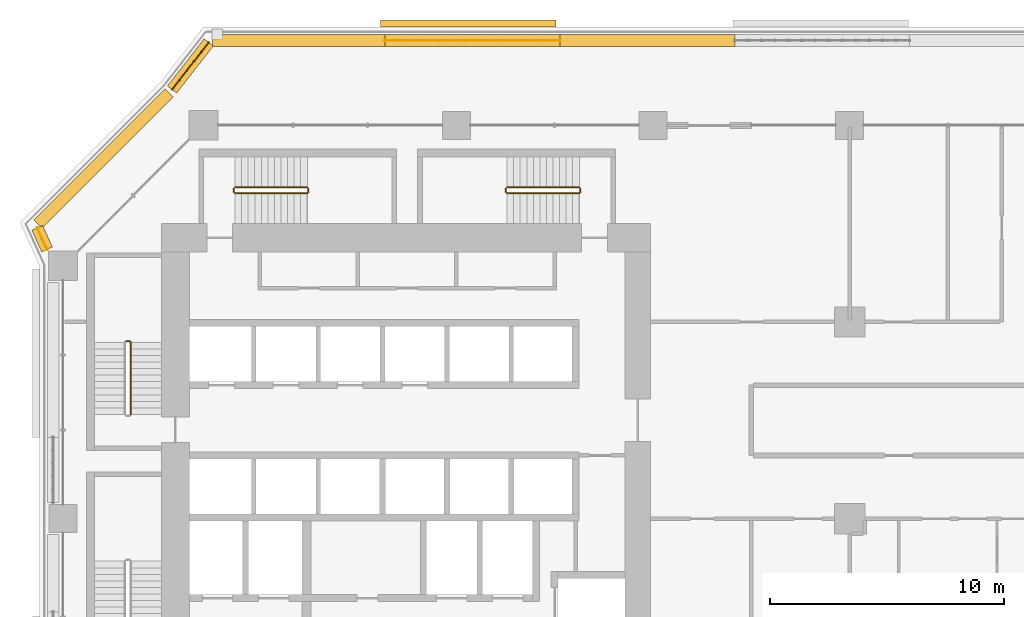
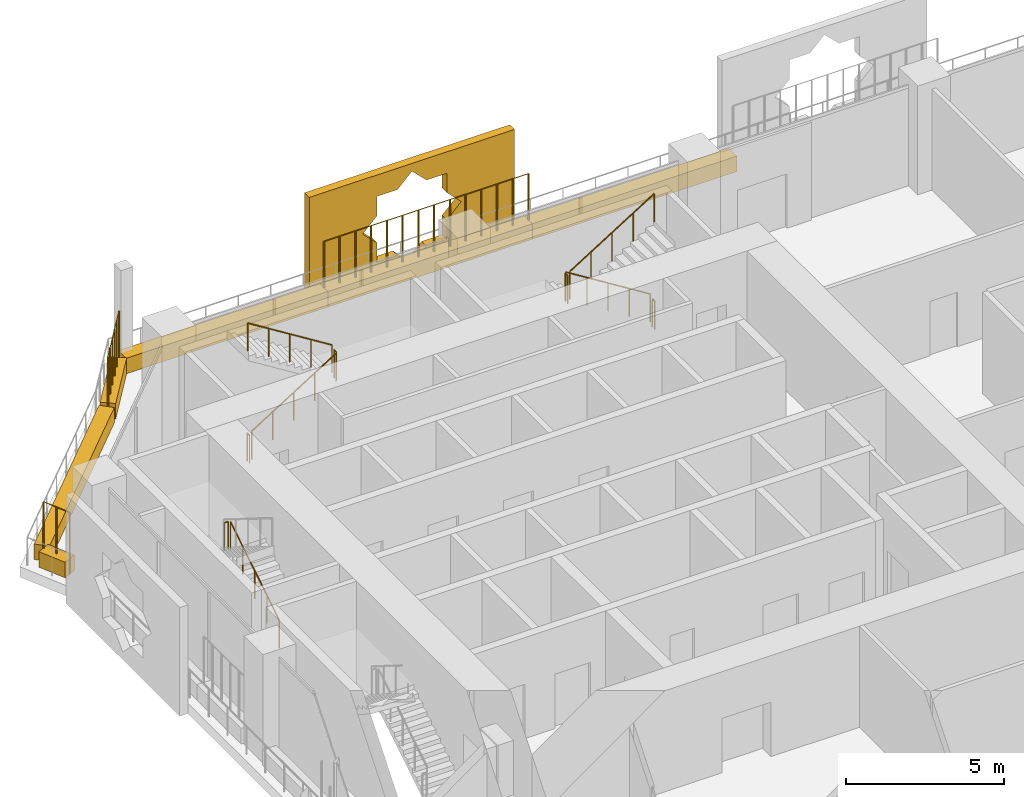
# One storey, part 27 of 29: 13 railings, 7 coverings.
"""IFC4 building model written with IfcOpenShell, lengths in metres."""

from ifc_helpers import new_model, si_unit, direction, frame, origin, origin_2d, place, context, subcontext, project, spatial, polyline, rectangle, circle, outline, extrude, material, material_profile, profile_set, type_object, element, save


model = new_model("IFC4")

# Units and contexts
model_context = context("Model", 3, precision=1e-05, world=origin(), true_north=direction((0.0, 1.0)))
body_context = subcontext(model_context, "Body", "Model", "MODEL_VIEW")
ifc_project = project(units=[si_unit("LENGTHUNIT", "METRE"), si_unit("AREAUNIT", "SQUARE_METRE"), si_unit("VOLUMEUNIT", "CUBIC_METRE"), si_unit("PLANEANGLEUNIT", "RADIAN"), si_unit("MASSUNIT", "GRAM", prefix="KILO")], contexts=[model_context])

# Site, building, storey
site_placement = place(None, origin())
site = spatial("IfcSite", under=ifc_project, at=site_placement, CompositionType="ELEMENT")
building_placement = place(site_placement, origin())
building = spatial("IfcBuilding", under=site, at=building_placement, Name="Kawkab Arch Medical Tower", CompositionType="ELEMENT")
storey_placement = place(building_placement, frame((0.0, 0.0, 60.199951171875)))
storey = spatial("IfcBuildingStorey", under=building, at=storey_placement, Name="L13", CompositionType="ELEMENT", Elevation=60.199951171875)

# Coverings
ifc_material_1 = material(Name="Bronze anodised aluminium mashrabiya panel, eight-point star pattern", Category="aluminium")
ifc_material_profile_1 = material_profile(ifc_material_1, outline(polyline([(-3.75, -2.10009765625), (3.75, -2.10009765625), (3.75, 2.10009765625), (-3.75, 2.10009765625), (-3.75, -2.10009765625)]), holes=[polyline([(1.800048828125, 0.0), (1.272705078125, 0.527099609375), (1.272705078125, 1.272705078125), (0.527099609375, 1.272705078125), (0.0, 1.800048828125), (-0.527099609375, 1.272705078125), (-1.272705078125, 1.272705078125), (-1.272705078125, 0.527099609375), (-1.800048828125, 0.0), (-1.272705078125, -0.527099609375), (-1.272705078125, -1.272705078125), (-0.527099609375, -1.272705078125), (0.0, -1.800048828125), (0.527099609375, -1.272705078125), (1.272705078125, -1.272705078125), (1.272705078125, -0.527099609375), (1.800048828125, 0.0)])]), Name="Mashrabiya panel 7500x4200")
ifc_profile_set_1 = profile_set([ifc_material_profile_1], Name="Bronze anodised aluminium mashrabiya panel, eight-point star pattern")
covering_type_1 = type_object("IfcCoveringType", Name="Mashrabiya panel 7500 x 4200", PredefinedType="USERDEFINED", material=ifc_profile_set_1)
covering_1_placement = place(storey_placement, frame((17.30322265625, 4.199951171875, 1.699951171875), z_axis=(0.0, 1.0, 0.0), x_axis=(-1.0, 0.0, 0.0)))
element("IfcCovering", 1, at=covering_1_placement, inside=storey, type_object=covering_type_1, Name="Mashrabiya panel L13.LOG-01-01.6", ObjectType="SCREEN", PredefinedType="USERDEFINED", context=body_context, shape_type="SweptSolid", body=[
    extrude(outline(polyline([(-3.75, -2.10009765625), (3.75, -2.10009765625), (3.75, 2.10009765625), (-3.75, 2.10009765625), (-3.75, -2.10009765625)]), holes=[polyline([(1.800048828125, 0.0), (1.272705078125, 0.527099609375), (1.272705078125, 1.272705078125), (0.527099609375, 1.272705078125), (0.0, 1.800048828125), (-0.527099609375, 1.272705078125), (-1.272705078125, 1.272705078125), (-1.272705078125, 0.527099609375), (-1.800048828125, 0.0), (-1.272705078125, -0.527099609375), (-1.272705078125, -1.272705078125), (-0.527099609375, -1.272705078125), (0.0, -1.800048828125), (0.527099609375, -1.272705078125), (1.272705078125, -1.272705078125), (1.272705078125, -0.527099609375), (1.800048828125, 0.0)])]), origin(), (0.0, 0.0, 1.0), 0.300048828125),
])
ifc_material_2 = material(Name="Planting soil in a precast trough", Category="concrete")
ifc_material_profile_2 = material_profile(ifc_material_2, rectangle(XDim=0.5, YDim=0.60009765625, at=origin_2d()), Name="Trough 500x600")
ifc_profile_set_2 = profile_set([ifc_material_profile_2], Name="Planting soil in a precast trough")
covering_type_2 = type_object("IfcCoveringType", Name="Planter trough 500 x 600", PredefinedType="USERDEFINED", material=ifc_profile_set_2)
covering_2_placement = place(storey_placement, frame((-0.680908203125, -5.302001953125, 0.300048828125), z_axis=(-0.415071571878, 0.909788761317, 0.0), x_axis=(-0.909788761317, -0.415071571878, 0.0)))
element("IfcCovering", 2, at=covering_2_placement, inside=storey, type_object=covering_type_2, Name="Planter L13.LOG-01-01.17", ObjectType="PLANTER", PredefinedType="USERDEFINED", context=body_context, shape_type="SweptSolid", body=[
    extrude(rectangle(XDim=0.5, YDim=0.60009765625, at=origin_2d()), origin(), (0.0, 0.0, 1.0), 1.0146484375),
])
covering_3_placement = place(storey_placement, frame((-1.072998046875, -4.217041015625, 0.300048828125), z_axis=(0.707106781187, 0.707106781187, 0.0), x_axis=(-0.707106781187, 0.707106781187, 0.0)))
element("IfcCovering", 3, at=covering_3_placement, inside=storey, type_object=covering_type_2, Name="Planter L13.LOG-01-01.18", ObjectType="PLANTER", PredefinedType="USERDEFINED", context=body_context, shape_type="SweptSolid", body=[
    extrude(rectangle(XDim=0.5, YDim=0.60009765625, at=origin_2d()), origin(), (0.0, 0.0, 1.0), 7.919677734375),
])
covering_4_placement = place(storey_placement, frame((4.658935546875, 1.531982421875, 0.300048828125), z_axis=(0.61404021143, 0.789274742246, 0.0), x_axis=(-0.789274742246, 0.61404021143, 0.0)))
element("IfcCovering", 4, at=covering_4_placement, inside=storey, type_object=covering_type_2, Name="Planter L13.LOG-01-01.19", ObjectType="PLANTER", PredefinedType="USERDEFINED", context=body_context, shape_type="SweptSolid", body=[
    extrude(rectangle(XDim=0.5, YDim=0.60009765625, at=origin_2d()), origin(), (0.0, 0.0, 1.0), 2.54541015625),
])
covering_5_placement = place(storey_placement, frame((6.384033203125, 3.6201171875, 0.300048828125), z_axis=(1.0, 0.0, 0.0), x_axis=(0.0, 1.0, 0.0)))
element("IfcCovering", 5, at=covering_5_placement, inside=storey, type_object=covering_type_2, Name="Planter L13.LOG-01-01.20", ObjectType="PLANTER", PredefinedType="USERDEFINED", context=body_context, shape_type="SweptSolid", body=[
    extrude(rectangle(XDim=0.5, YDim=0.60009765625, at=origin_2d()), origin(), (0.0, 0.0, 1.0), 7.369873046875),
])
covering_6_placement = place(storey_placement, frame((13.75390625, 3.6201171875, 0.300048828125), z_axis=(1.0, 0.0, 0.0), x_axis=(0.0, 1.0, 0.0)))
element("IfcCovering", 6, at=covering_6_placement, inside=storey, type_object=covering_type_2, Name="Planter L13.LOG-01-01.21", ObjectType="PLANTER", PredefinedType="USERDEFINED", context=body_context, shape_type="SweptSolid", body=[
    extrude(rectangle(XDim=0.5, YDim=0.60009765625, at=origin_2d()), origin(), (0.0, 0.0, 1.0), 7.47021484375),
])
covering_7_placement = place(storey_placement, frame((21.22412109375, 3.6201171875, 0.300048828125), z_axis=(1.0, 0.0, 0.0), x_axis=(0.0, 1.0, 0.0)))
element("IfcCovering", 7, at=covering_7_placement, inside=storey, type_object=covering_type_2, Name="Planter L13.LOG-01-01.22", ObjectType="PLANTER", PredefinedType="USERDEFINED", context=body_context, shape_type="SweptSolid", body=[
    extrude(rectangle(XDim=0.5, YDim=0.60009765625, at=origin_2d()), origin(), (0.0, 0.0, 1.0), 7.470947265625),
])

# Railings
ifc_material_3 = material(Name="Bronze anodised aluminium trellis for climbing plants", Category="aluminium")
railing_type_1 = type_object("IfcRailingType", Name="Planting trellis 2400", PredefinedType="USERDEFINED", material=ifc_material_3)
railing_1_placement = place(storey_placement, frame((-0.680908203125, -5.302001953125, 0.0)))
element("IfcRailing", 8, at=railing_1_placement, inside=storey, type_object=railing_type_1, Name="Planting trellis L13.LOG-01-01.17", ObjectType="TRELLIS", PredefinedType="USERDEFINED", context=body_context, shape_type="SweptSolid", body=[
    extrude(circle(Radius=0.01513671875, at=origin_2d()), frame((0.0, 0.0, 2.384765625), z_axis=(-0.415071571878, 0.909788761317, 0.0), x_axis=(-0.909788761317, -0.415071571878, 0.0)), (0.0, 0.0, 1.0), 1.0146484375),
    extrude(circle(Radius=0.030029296875, at=origin_2d()), origin(), (0.0, 0.0, 1.0), 2.369873046875),
    extrude(circle(Radius=0.030029296875, at=origin_2d()), frame((-0.21044921875, 0.46142578125, 0.0)), (0.0, 0.0, 1.0), 2.369873046875),
    extrude(circle(Radius=0.030029296875, at=origin_2d()), frame((-0.421142578125, 0.923095703125, 0.0)), (0.0, 0.0, 1.0), 2.369873046875),
])
railing_2_placement = place(storey_placement, frame((4.658935546875, 1.531982421875, 0.0)))
element("IfcRailing", 9, at=railing_2_placement, inside=storey, type_object=railing_type_1, Name="Planting trellis L13.LOG-01-01.19", ObjectType="TRELLIS", PredefinedType="USERDEFINED", context=body_context, shape_type="SweptSolid", body=[
    extrude(circle(Radius=0.01513671875, at=origin_2d()), frame((0.0, 0.0, 2.384765625), z_axis=(0.61404021143, 0.789274742246, 0.0), x_axis=(-0.789274742246, 0.61404021143, 0.0)), (0.0, 0.0, 1.0), 2.54541015625),
    extrude(circle(Radius=0.030029296875, at=origin_2d()), origin(), (0.0, 0.0, 1.0), 2.369873046875),
    extrude(circle(Radius=0.030029296875, at=origin_2d()), frame((0.3125, 0.40185546875, 0.0)), (0.0, 0.0, 1.0), 2.369873046875),
    extrude(circle(Radius=0.030029296875, at=origin_2d()), frame((0.625244140625, 0.8037109375, 0.0)), (0.0, 0.0, 1.0), 2.369873046875),
    extrude(circle(Radius=0.030029296875, at=origin_2d()), frame((0.937744140625, 1.205322265625, 0.0)), (0.0, 0.0, 1.0), 2.369873046875),
    extrude(circle(Radius=0.030029296875, at=origin_2d()), frame((1.25048828125, 1.607177734375, 0.0)), (0.0, 0.0, 1.0), 2.369873046875),
    extrude(circle(Radius=0.030029296875, at=origin_2d()), frame((1.56298828125, 2.009033203125, 0.0)), (0.0, 0.0, 1.0), 2.369873046875),
])
railing_3_placement = place(storey_placement, frame((13.75390625, 3.6201171875, 0.0)))
element("IfcRailing", 10, at=railing_3_placement, inside=storey, type_object=railing_type_1, Name="Planting trellis L13.LOG-01-01.21", ObjectType="TRELLIS", PredefinedType="USERDEFINED", context=body_context, shape_type="SweptSolid", body=[
    extrude(circle(Radius=0.01513671875, at=origin_2d()), frame((0.0, 0.0, 2.384765625), z_axis=(1.0, 0.0, 0.0), x_axis=(0.0, 1.0, 0.0)), (0.0, 0.0, 1.0), 7.47021484375),
    extrude(circle(Radius=0.030029296875, at=origin_2d()), origin(), (0.0, 0.0, 1.0), 2.369873046875),
    extrude(circle(Radius=0.030029296875, at=origin_2d()), frame((0.57470703125, 0.0, 0.0)), (0.0, 0.0, 1.0), 2.369873046875),
    extrude(circle(Radius=0.030029296875, at=origin_2d()), frame((1.149169921875, 0.0, 0.0)), (0.0, 0.0, 1.0), 2.369873046875),
    extrude(circle(Radius=0.030029296875, at=origin_2d()), frame((1.723876953125, 0.0, 0.0)), (0.0, 0.0, 1.0), 2.369873046875),
    extrude(circle(Radius=0.030029296875, at=origin_2d()), frame((2.298583984375, 0.0, 0.0)), (0.0, 0.0, 1.0), 2.369873046875),
    extrude(circle(Radius=0.030029296875, at=origin_2d()), frame((2.873046875, 0.0, 0.0)), (0.0, 0.0, 1.0), 2.369873046875),
    extrude(circle(Radius=0.030029296875, at=origin_2d()), frame((3.44775390625, 0.0, 0.0)), (0.0, 0.0, 1.0), 2.369873046875),
    extrude(circle(Radius=0.030029296875, at=origin_2d()), frame((4.0224609375, 0.0, 0.0)), (0.0, 0.0, 1.0), 2.369873046875),
    extrude(circle(Radius=0.030029296875, at=origin_2d()), frame((4.59716796875, 0.0, 0.0)), (0.0, 0.0, 1.0), 2.369873046875),
    extrude(circle(Radius=0.030029296875, at=origin_2d()), frame((5.171630859375, 0.0, 0.0)), (0.0, 0.0, 1.0), 2.369873046875),
    extrude(circle(Radius=0.030029296875, at=origin_2d()), frame((5.746337890625, 0.0, 0.0)), (0.0, 0.0, 1.0), 2.369873046875),
    extrude(circle(Radius=0.030029296875, at=origin_2d()), frame((6.321044921875, 0.0, 0.0)), (0.0, 0.0, 1.0), 2.369873046875),
    extrude(circle(Radius=0.030029296875, at=origin_2d()), frame((6.8955078125, 0.0, 0.0)), (0.0, 0.0, 1.0), 2.369873046875),
    extrude(circle(Radius=0.030029296875, at=origin_2d()), frame((7.47021484375, 0.0, 0.0)), (0.0, 0.0, 1.0), 2.369873046875),
])
ifc_material_4 = material(Name="Stainless steel", Category="steel")
railing_type_2 = type_object("IfcRailingType", Name="Stair guard 1100", PredefinedType="GUARDRAIL", material=ifc_material_4)
railing_4_placement = place(storey_placement, frame((2.89990234375, -12.35009765625, 0.175048828125)))
element("IfcRailing", 11, at=railing_4_placement, inside=storey, type_object=railing_type_2, Name="L13 ST1 stair guard 1", PredefinedType="GUARDRAIL", context=body_context, shape_type="SweptSolid", body=[
    extrude(circle(Radius=0.02392578125, at=origin_2d()), frame((0.0, 0.0, 1.076171875), z_axis=(0.0, 0.847998304005, 0.529998940003), x_axis=(-1.0, 0.0, 0.0)), (0.0, 0.0, 1.0), 3.632080078125),
    extrude(circle(Radius=0.02099609375, at=origin_2d()), origin(), (0.0, 0.0, 1.0), 1.052001953125),
    extrude(circle(Radius=0.02099609375, at=origin_2d()), frame((0.0, 0.77001953125, 0.481201171875)), (0.0, 0.0, 1.0), 1.052001953125),
    extrude(circle(Radius=0.02099609375, at=origin_2d()), frame((0.0, 1.5400390625, 0.96240234375)), (0.0, 0.0, 1.0), 1.052001953125),
    extrude(circle(Radius=0.02099609375, at=origin_2d()), frame((0.0, 2.31005859375, 1.44384765625)), (0.0, 0.0, 1.0), 1.052001953125),
    extrude(circle(Radius=0.02099609375, at=origin_2d()), frame((0.0, 3.080078125, 1.925048828125)), (0.0, 0.0, 1.0), 1.052001953125),
])
railing_5_placement = place(storey_placement, frame((2.85009765625, -9.219970703125, 2.10009765625)))
element("IfcRailing", 12, at=railing_5_placement, inside=storey, type_object=railing_type_2, Name="L13 ST1 stair guard 2", PredefinedType="GUARDRAIL", context=body_context, shape_type="SweptSolid", body=[
    extrude(circle(Radius=0.02392578125, at=origin_2d()), frame((0.0, 0.0, 1.076171875), z_axis=(-1.0, 0.0, 0.0), x_axis=(0.0, -1.0, 0.0)), (0.0, 0.0, 1.0), 0.150146484375),
    extrude(circle(Radius=0.02099609375, at=origin_2d()), origin(), (0.0, 0.0, 1.0), 1.052001953125),
    extrude(circle(Radius=0.02099609375, at=origin_2d()), frame((-0.150146484375, 0.0, 0.0)), (0.0, 0.0, 1.0), 1.052001953125),
])
railing_6_placement = place(storey_placement, frame((7.35009765625, -2.89990234375, 0.175048828125)))
element("IfcRailing", 13, at=railing_6_placement, inside=storey, type_object=railing_type_2, Name="L13 ST3 stair guard 1", PredefinedType="GUARDRAIL", context=body_context, shape_type="SweptSolid", body=[
    extrude(circle(Radius=0.02392578125, at=origin_2d()), frame((0.0, 0.0, 1.076171875), z_axis=(0.847979421464, 0.0, 0.530029150871), x_axis=(0.0, 1.0, 0.0)), (0.0, 0.0, 1.0), 3.632080078125),
    extrude(circle(Radius=0.02099609375, at=origin_2d()), origin(), (0.0, 0.0, 1.0), 1.052001953125),
    extrude(circle(Radius=0.02099609375, at=origin_2d()), frame((0.77001953125, 0.0, 0.481201171875)), (0.0, 0.0, 1.0), 1.052001953125),
    extrude(circle(Radius=0.02099609375, at=origin_2d()), frame((1.5400390625, 0.0, 0.96240234375)), (0.0, 0.0, 1.0), 1.052001953125),
    extrude(circle(Radius=0.02099609375, at=origin_2d()), frame((2.309814453125, 0.0, 1.44384765625)), (0.0, 0.0, 1.0), 1.052001953125),
    extrude(circle(Radius=0.02099609375, at=origin_2d()), frame((3.079833984375, 0.0, 1.925048828125)), (0.0, 0.0, 1.0), 1.052001953125),
])
railing_7_placement = place(storey_placement, frame((10.47998046875, -2.85009765625, 2.10009765625)))
element("IfcRailing", 14, at=railing_7_placement, inside=storey, type_object=railing_type_2, Name="L13 ST3 stair guard 2", PredefinedType="GUARDRAIL", context=body_context, shape_type="SweptSolid", body=[
    extrude(circle(Radius=0.02392578125, at=origin_2d()), frame((0.0, 0.0, 1.076171875), z_axis=(0.0, 1.0, 0.0), x_axis=(-1.0, 0.0, 0.0)), (0.0, 0.0, 1.0), 0.150146484375),
    extrude(circle(Radius=0.02099609375, at=origin_2d()), origin(), (0.0, 0.0, 1.0), 1.052001953125),
    extrude(circle(Radius=0.02099609375, at=origin_2d()), frame((0.0, 0.150146484375, 0.0)), (0.0, 0.0, 1.0), 1.052001953125),
])
railing_8_placement = place(storey_placement, frame((10.429931640625, -2.64990234375, 2.275146484375)))
element("IfcRailing", 15, at=railing_8_placement, inside=storey, type_object=railing_type_2, Name="L13 ST3 stair guard 3", PredefinedType="GUARDRAIL", context=body_context, shape_type="SweptSolid", body=[
    extrude(circle(Radius=0.02392578125, at=origin_2d()), frame((0.0, 0.0, 1.076171875), z_axis=(-0.848009633417, 0.0, 0.529980812513), x_axis=(0.0, -1.0, 0.0)), (0.0, 0.0, 1.0), 3.6318359375),
    extrude(circle(Radius=0.02099609375, at=origin_2d()), origin(), (0.0, 0.0, 1.0), 1.052001953125),
    extrude(circle(Radius=0.02099609375, at=origin_2d()), frame((-0.77001953125, 0.0, 0.481201171875)), (0.0, 0.0, 1.0), 1.052001953125),
    extrude(circle(Radius=0.02099609375, at=origin_2d()), frame((-1.5400390625, 0.0, 0.96240234375)), (0.0, 0.0, 1.0), 1.052001953125),
    extrude(circle(Radius=0.02099609375, at=origin_2d()), frame((-2.309814453125, 0.0, 1.443603515625)), (0.0, 0.0, 1.0), 1.052001953125),
    extrude(circle(Radius=0.02099609375, at=origin_2d()), frame((-3.079833984375, 0.0, 1.9248046875)), (0.0, 0.0, 1.0), 1.052001953125),
])
railing_9_placement = place(storey_placement, frame((7.300048828125, -2.85009765625, 0.0)))
element("IfcRailing", 16, at=railing_9_placement, inside=storey, type_object=railing_type_2, Name="L13 ST3 stair guard 4", PredefinedType="GUARDRAIL", context=body_context, shape_type="SweptSolid", body=[
    extrude(circle(Radius=0.02392578125, at=origin_2d()), frame((0.0, 0.0, 1.076171875), z_axis=(0.0, 1.0, 0.0), x_axis=(-1.0, 0.0, 0.0)), (0.0, 0.0, 1.0), 0.150146484375),
    extrude(circle(Radius=0.02099609375, at=origin_2d()), origin(), (0.0, 0.0, 1.0), 1.052001953125),
    extrude(circle(Radius=0.02099609375, at=origin_2d()), frame((0.0, 0.150146484375, 0.0)), (0.0, 0.0, 1.0), 1.052001953125),
])
railing_10_placement = place(storey_placement, frame((22.050048828125, -2.64990234375, 0.175048828125)))
element("IfcRailing", 17, at=railing_10_placement, inside=storey, type_object=railing_type_2, Name="L13 ST4 stair guard 1", PredefinedType="GUARDRAIL", context=body_context, shape_type="SweptSolid", body=[
    extrude(circle(Radius=0.02392578125, at=origin_2d()), frame((0.0, 0.0, 1.076171875), z_axis=(-0.847998304005, 0.0, 0.529998940003), x_axis=(0.0, -1.0, 0.0)), (0.0, 0.0, 1.0), 3.632080078125),
    extrude(circle(Radius=0.02099609375, at=origin_2d()), origin(), (0.0, 0.0, 1.0), 1.052001953125),
    extrude(circle(Radius=0.02099609375, at=origin_2d()), frame((-0.77001953125, 0.0, 0.481201171875)), (0.0, 0.0, 1.0), 1.052001953125),
    extrude(circle(Radius=0.02099609375, at=origin_2d()), frame((-1.5400390625, 0.0, 0.96240234375)), (0.0, 0.0, 1.0), 1.052001953125),
    extrude(circle(Radius=0.02099609375, at=origin_2d()), frame((-2.31005859375, 0.0, 1.44384765625)), (0.0, 0.0, 1.0), 1.052001953125),
    extrude(circle(Radius=0.02099609375, at=origin_2d()), frame((-3.080078125, 0.0, 1.925048828125)), (0.0, 0.0, 1.0), 1.052001953125),
])
railing_11_placement = place(storey_placement, frame((18.919921875, -2.699951171875, 2.10009765625)))
element("IfcRailing", 18, at=railing_11_placement, inside=storey, type_object=railing_type_2, Name="L13 ST4 stair guard 2", PredefinedType="GUARDRAIL", context=body_context, shape_type="SweptSolid", body=[
    extrude(circle(Radius=0.02392578125, at=origin_2d()), frame((0.0, 0.0, 1.076171875), z_axis=(0.0, -1.0, 0.0), x_axis=(1.0, 0.0, 0.0)), (0.0, 0.0, 1.0), 0.150146484375),
    extrude(circle(Radius=0.02099609375, at=origin_2d()), origin(), (0.0, 0.0, 1.0), 1.052001953125),
    extrude(circle(Radius=0.02099609375, at=origin_2d()), frame((0.0, -0.150146484375, 0.0)), (0.0, 0.0, 1.0), 1.052001953125),
])
railing_12_placement = place(storey_placement, frame((18.969970703125, -2.89990234375, 2.275146484375)))
element("IfcRailing", 19, at=railing_12_placement, inside=storey, type_object=railing_type_2, Name="L13 ST4 stair guard 3", PredefinedType="GUARDRAIL", context=body_context, shape_type="SweptSolid", body=[
    extrude(circle(Radius=0.02392578125, at=origin_2d()), frame((0.0, 0.0, 1.076171875), z_axis=(0.848028513186, 0.0, 0.529950602248), x_axis=(0.0, 1.0, 0.0)), (0.0, 0.0, 1.0), 3.632080078125),
    extrude(circle(Radius=0.02099609375, at=origin_2d()), origin(), (0.0, 0.0, 1.0), 1.052001953125),
    extrude(circle(Radius=0.02099609375, at=origin_2d()), frame((0.77001953125, 0.0, 0.481201171875)), (0.0, 0.0, 1.0), 1.052001953125),
    extrude(circle(Radius=0.02099609375, at=origin_2d()), frame((1.5400390625, 0.0, 0.96240234375)), (0.0, 0.0, 1.0), 1.052001953125),
    extrude(circle(Radius=0.02099609375, at=origin_2d()), frame((2.31005859375, 0.0, 1.443603515625)), (0.0, 0.0, 1.0), 1.052001953125),
    extrude(circle(Radius=0.02099609375, at=origin_2d()), frame((3.080078125, 0.0, 1.9248046875)), (0.0, 0.0, 1.0), 1.052001953125),
])
railing_13_placement = place(storey_placement, frame((22.10009765625, -2.699951171875, 0.0)))
element("IfcRailing", 20, at=railing_13_placement, inside=storey, type_object=railing_type_2, Name="L13 ST4 stair guard 4", PredefinedType="GUARDRAIL", context=body_context, shape_type="SweptSolid", body=[
    extrude(circle(Radius=0.02392578125, at=origin_2d()), frame((0.0, 0.0, 1.076171875), z_axis=(0.0, -1.0, 0.0), x_axis=(1.0, 0.0, 0.0)), (0.0, 0.0, 1.0), 0.150146484375),
    extrude(circle(Radius=0.02099609375, at=origin_2d()), origin(), (0.0, 0.0, 1.0), 1.052001953125),
    extrude(circle(Radius=0.02099609375, at=origin_2d()), frame((0.0, -0.150146484375, 0.0)), (0.0, 0.0, 1.0), 1.052001953125),
])

save(model, "model.ifc")
